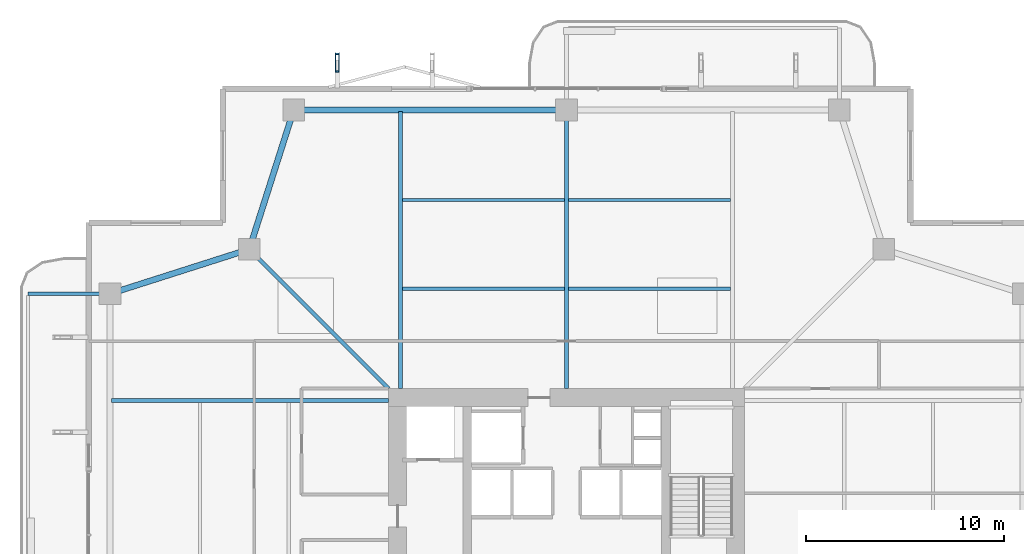
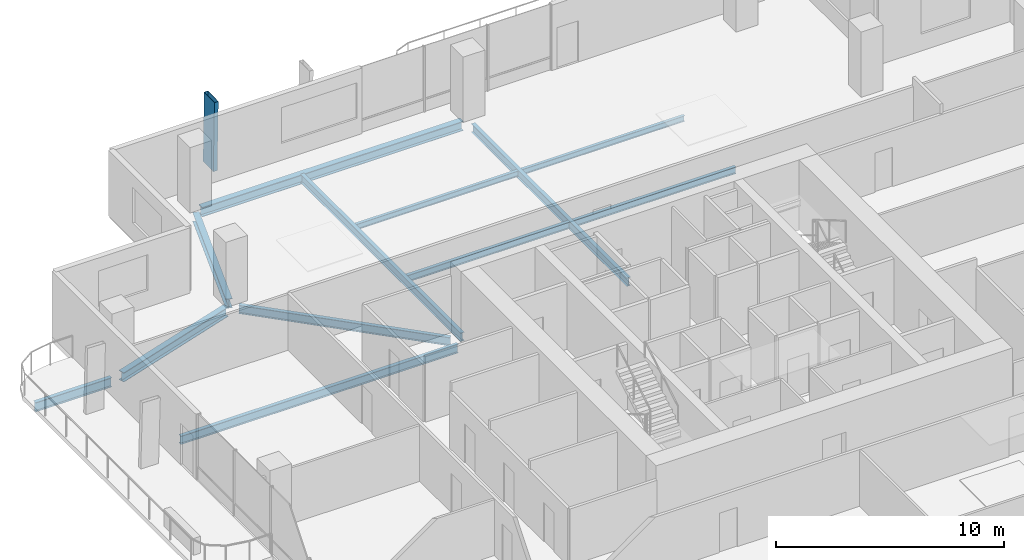
# One storey, part 13 of 25: 12 beams, 1 member.
"""IFC4 building model written with IfcOpenShell, lengths in metres."""

from ifc_helpers import new_model, si_unit, direction, frame, origin, origin_2d, place, context, subcontext, project, spatial, hollow_rectangle, i_section, extrude, material, material_profile, profile_set, type_object, element, save


model = new_model("IFC4")

# Units and contexts
model_context = context("Model", 3, precision=1e-05, world=origin(), true_north=direction((0.0, 1.0)))
body_context = subcontext(model_context, "Body", "Model", "MODEL_VIEW")
ifc_project = project(units=[si_unit("LENGTHUNIT", "METRE"), si_unit("AREAUNIT", "SQUARE_METRE"), si_unit("VOLUMEUNIT", "CUBIC_METRE"), si_unit("PLANEANGLEUNIT", "RADIAN"), si_unit("MASSUNIT", "GRAM", prefix="KILO")], contexts=[model_context])

# Site, building, storey
site_placement = place(None, origin())
site = spatial("IfcSite", under=ifc_project, at=site_placement, CompositionType="ELEMENT")
building_placement = place(site_placement, origin())
building = spatial("IfcBuilding", under=site, at=building_placement, Name="Belovzor Exchange Tower", CompositionType="ELEMENT")
storey_placement = place(building_placement, frame((0.0, 0.0, 160.800048828125)))
storey = spatial("IfcBuildingStorey", under=building, at=storey_placement, Name="L39", CompositionType="ELEMENT", Elevation=160.800048828125)

# Beams
ifc_material_1 = material(Name="Steel S355", Category="steel")
ifc_material_profile_1 = material_profile(ifc_material_1, i_section(OverallWidth=0.199951171875, OverallDepth=0.5, WebThickness=0.01025390625, FlangeThickness=0.01611328125, at=origin_2d()))
ifc_profile_set_1 = profile_set([ifc_material_profile_1], Name="Steel S355")
beam_type_1 = type_object("IfcBeamType", Name="Planted Balcony Cantilever Beam IPE 500", PredefinedType="BEAM", material=ifc_profile_set_1)
beam_1_placement = place(storey_placement, frame((5.39697265625, 42.60009765625, -0.505126953125), z_axis=(-1.0, 0.0, 0.0), x_axis=(0.0, -1.0, 0.0)))
element("IfcBeam", 1, at=beam_1_placement, inside=storey, type_object=beam_type_1, Name="BC-500 Planted Balcony Cantilever Beam IPE 500", PredefinedType="BEAM", context=body_context, shape_type="SweptSolid", body=[
    extrude(i_section(OverallWidth=0.199951171875, OverallDepth=0.5, WebThickness=0.01025390625, FlangeThickness=0.01611328125, at=origin_2d()), origin(), (0.0, 0.0, 1.0), 3.849853515625),
])
ifc_material_2 = material(Name="Steel S355", Category="steel")
ifc_material_profile_2 = material_profile(ifc_material_2, i_section(OverallWidth=0.169921875, OverallDepth=0.360107421875, WebThickness=0.008056640625, FlangeThickness=0.0126953125, at=origin_2d()))
ifc_profile_set_2 = profile_set([ifc_material_profile_2], Name="Steel S355")
beam_type_2 = type_object("IfcBeamType", Name="Secondary Infill Floor Joist IPE 360", PredefinedType="BEAM", material=ifc_profile_set_2)
for number, where, z_axis, x_axis, name in (
    (2, (20.4951171875, 42.84912109375, -0.43505859375), (1.0, 0.0, 0.0), (0.0, 1.0, 0.0), "FJ-360 Secondary Infill Floor Joist IPE 360"),
    (3, (28.89501953125, 42.84912109375, -0.43505859375), (1.0, 0.0, 0.0), (0.0, 1.0, 0.0), "FJ-360 Secondary Infill Floor Joist IPE 360"),
):
    element("IfcBeam", number, at=place(storey_placement, frame(where, z_axis=z_axis, x_axis=x_axis)), inside=storey, type_object=beam_type_2, Name=name, PredefinedType="BEAM", context=body_context, shape_type="SweptSolid", body=[
        extrude(i_section(OverallWidth=0.169921875, OverallDepth=0.360107421875, WebThickness=0.008056640625, FlangeThickness=0.0126953125, at=origin_2d()), origin(), (0.0, 0.0, 1.0), 8.2099609375),
    ])
ifc_material_3 = material(Name="Steel S355", Category="steel")
ifc_material_profile_3 = material_profile(ifc_material_3, i_section(OverallWidth=0.14990234375, OverallDepth=0.300048828125, WebThickness=0.007080078125, FlangeThickness=0.0107421875, at=origin_2d()))
ifc_profile_set_3 = profile_set([ifc_material_profile_3], Name="Steel S355")
beam_type_3 = type_object("IfcBeamType", Name="Secondary Trim Floor Joist IPE 300", PredefinedType="BEAM", material=ifc_profile_set_3)
for number, where, z_axis, x_axis, name in (
    (4, (20.4951171875, 47.3369140625, -0.405029296875), (1.0, 0.0, 0.0), (0.0, 1.0, 0.0), "FJ-300 Secondary Trim Floor Joist IPE 300"),
    (5, (28.89501953125, 47.3369140625, -0.405029296875), (1.0, 0.0, 0.0), (0.0, 1.0, 0.0), "FJ-300 Secondary Trim Floor Joist IPE 300"),
):
    element("IfcBeam", number, at=place(storey_placement, frame(where, z_axis=z_axis, x_axis=x_axis)), inside=storey, type_object=beam_type_3, Name=name, PredefinedType="BEAM", context=body_context, shape_type="SweptSolid", body=[
        extrude(i_section(OverallWidth=0.14990234375, OverallDepth=0.300048828125, WebThickness=0.007080078125, FlangeThickness=0.0107421875, at=origin_2d()), origin(), (0.0, 0.0, 1.0), 8.2099609375),
    ])

# Member
ifc_material_4 = material(Name="Extruded Architectural Terracotta on Steel S355 Carrier", Category="masonry")
ifc_material_profile_4 = material_profile(ifc_material_4, hollow_rectangle(XDim=0.199951171875, YDim=0.89990234375, WallThickness=0.011962890625, at=origin_2d()))
ifc_profile_set_4 = profile_set([ifc_material_profile_4], Name="Extruded Architectural Terracotta on Steel S355 Carrier")
member_type = type_object("IfcMemberType", Name="Sweeping Terracotta Baguette Fin Assembly 1250", PredefinedType="USERDEFINED", material=ifc_profile_set_4)
member_placement = place(storey_placement, frame((17.199951171875, 54.341064453125, -0.255126953125), z_axis=(0.0, -0.025057234181, 0.999686018215), x_axis=(1.0, 0.0, 0.0)))
element("IfcMember", 6, at=member_placement, inside=storey, type_object=member_type, Name="FIN-TC125 Terracotta Facade Fin L39 N1", ObjectType="FIN", PredefinedType="USERDEFINED", context=body_context, shape_type="SweptSolid", body=[
    extrude(hollow_rectangle(XDim=0.199951171875, YDim=0.89990234375, WallThickness=0.011962890625, at=origin_2d()), origin(), (0.0, 0.0, 1.0), 3.751220703125),
])

# Beams
ifc_material_5 = material(Name="Steel S355", Category="steel")
ifc_material_profile_5 = material_profile(ifc_material_5, i_section(OverallWidth=0.18994140625, OverallDepth=0.449951171875, WebThickness=0.009521484375, FlangeThickness=0.0146484375, at=origin_2d()))
ifc_profile_set_5 = profile_set([ifc_material_profile_5], Name="Steel S355")
beam_type_4 = type_object("IfcBeamType", Name="Zone 2-4 Radial Composite Floor Beam IPE 450", PredefinedType="BEAM", material=ifc_profile_set_5)
beam_2_placement = place(storey_placement, frame((20.39990234375, 37.800048828125, -0.47998046875), z_axis=(0.0, 1.0, 0.0), x_axis=(-1.0, 0.0, 0.0)))
element("IfcBeam", 7, at=beam_2_placement, inside=storey, type_object=beam_type_4, Name="FB-450 Zone 2-4 Radial Composite Floor Beam IPE 450", PredefinedType="BEAM", context=body_context, shape_type="SweptSolid", body=[
    extrude(i_section(OverallWidth=0.18994140625, OverallDepth=0.449951171875, WebThickness=0.009521484375, FlangeThickness=0.0146484375, at=origin_2d()), origin(), (0.0, 0.0, 1.0), 14.02490234375),
])
beam_3_placement = place(storey_placement, frame((28.800048828125, 37.800048828125, -0.47998046875), z_axis=(0.0, 1.0, 0.0), x_axis=(-1.0, 0.0, 0.0)))
element("IfcBeam", 8, at=beam_3_placement, inside=storey, type_object=beam_type_4, Name="FB-450 Zone 2-4 Radial Composite Floor Beam IPE 450", PredefinedType="BEAM", context=body_context, shape_type="SweptSolid", body=[
    extrude(i_section(OverallWidth=0.18994140625, OverallDepth=0.449951171875, WebThickness=0.009521484375, FlangeThickness=0.0146484375, at=origin_2d()), origin(), (0.0, 0.0, 1.0), 13.615966796875),
])
beam_4_placement = place(storey_placement, frame((19.800048828125, 37.199951171875, -0.47998046875), z_axis=(-1.0, 0.0, 0.0), x_axis=(0.0, -1.0, 0.0)))
element("IfcBeam", 9, at=beam_4_placement, inside=storey, type_object=beam_type_4, Name="FB-450 Zone 2-4 Radial Composite Floor Beam IPE 450", PredefinedType="BEAM", context=body_context, shape_type="SweptSolid", body=[
    extrude(i_section(OverallWidth=0.18994140625, OverallDepth=0.449951171875, WebThickness=0.009521484375, FlangeThickness=0.0146484375, at=origin_2d()), origin(), (0.0, 0.0, 1.0), 14.025146484375),
])
beam_5_placement = place(storey_placement, frame((19.800048828125, 37.800048828125, -0.47998046875), z_axis=(-0.707119521505, 0.707094040639, 0.0), x_axis=(-0.707094040639, -0.707119521505, 0.0)))
element("IfcBeam", 10, at=beam_5_placement, inside=storey, type_object=beam_type_4, Name="FB-450 Zone 2-4 Radial Composite Floor Beam IPE 450", PredefinedType="BEAM", context=body_context, shape_type="SweptSolid", body=[
    extrude(i_section(OverallWidth=0.18994140625, OverallDepth=0.449951171875, WebThickness=0.009521484375, FlangeThickness=0.0146484375, at=origin_2d()), origin(), (0.0, 0.0, 1.0), 9.581298828125),
])
ifc_material_6 = material(Name="Steel S355", Category="steel")
ifc_material_profile_6 = material_profile(ifc_material_6, i_section(OverallWidth=0.300048828125, OverallDepth=0.5, WebThickness=0.014404296875, FlangeThickness=0.028076171875, at=origin_2d()))
ifc_profile_set_6 = profile_set([ifc_material_profile_6], Name="Steel S355")
beam_type_5 = type_object("IfcBeamType", Name="Zone 3 Waist Primary Girder HEB 500", PredefinedType="BEAM", material=ifc_profile_set_6)
beam_6_placement = place(storey_placement, frame((28.498046875, 51.89990234375, -0.505126953125), z_axis=(-1.0, 0.0, 0.0), x_axis=(0.0, -1.0, 0.0)))
element("IfcBeam", 11, at=beam_6_placement, inside=storey, type_object=beam_type_5, Name="FG-Z3 Zone 3 Waist Primary Girder HEB 500", PredefinedType="BEAM", context=body_context, shape_type="SweptSolid", body=[
    extrude(i_section(OverallWidth=0.300048828125, OverallDepth=0.5, WebThickness=0.014404296875, FlangeThickness=0.028076171875, at=origin_2d()), origin(), (0.0, 0.0, 1.0), 13.195068359375),
])
for number, where, z_axis, x_axis, name in (
    (12, (14.907958984375, 51.612060546875, -0.505126953125), (-0.304001325621, -0.952671608699, 0.0), (0.952671608699, -0.304001325621, 0.0), "FG-Z3 Zone 3 Waist Primary Girder HEB 500"),
    (13, (12.4619140625, 44.758056640625, -0.505126953125), (-0.952657882792, -0.304044336164, 0.0), (0.304044336164, -0.952657882792, 0.0), "FG-Z3 Zone 3 Waist Primary Girder HEB 500"),
):
    element("IfcBeam", number, at=place(storey_placement, frame(where, z_axis=z_axis, x_axis=x_axis)), inside=storey, type_object=beam_type_5, Name=name, PredefinedType="BEAM", context=body_context, shape_type="SweptSolid", body=[
        extrude(i_section(OverallWidth=0.300048828125, OverallDepth=0.5, WebThickness=0.014404296875, FlangeThickness=0.028076171875, at=origin_2d()), origin(), (0.0, 0.0, 1.0), 6.795654296875),
    ])

save(model, "model.ifc")
